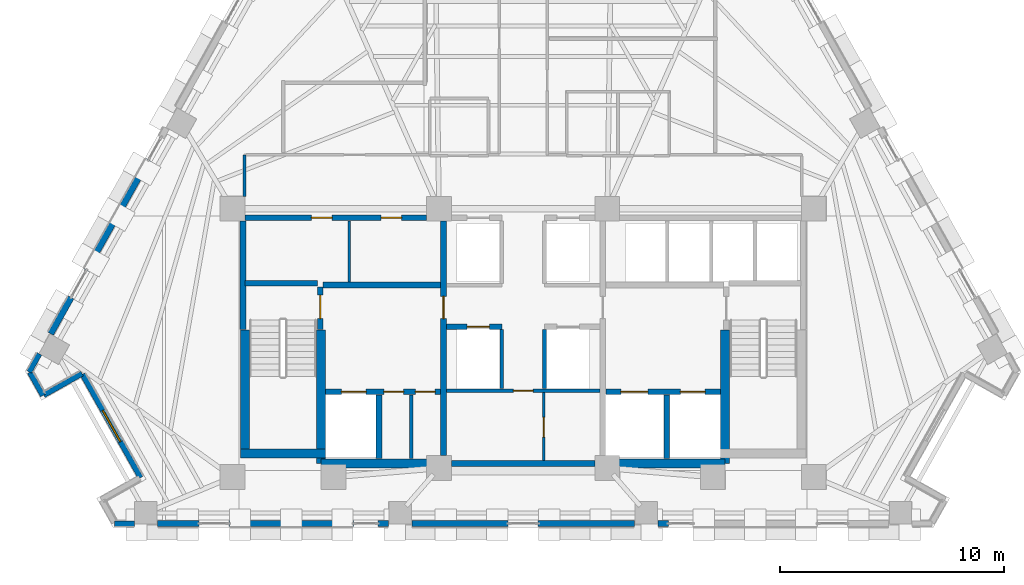
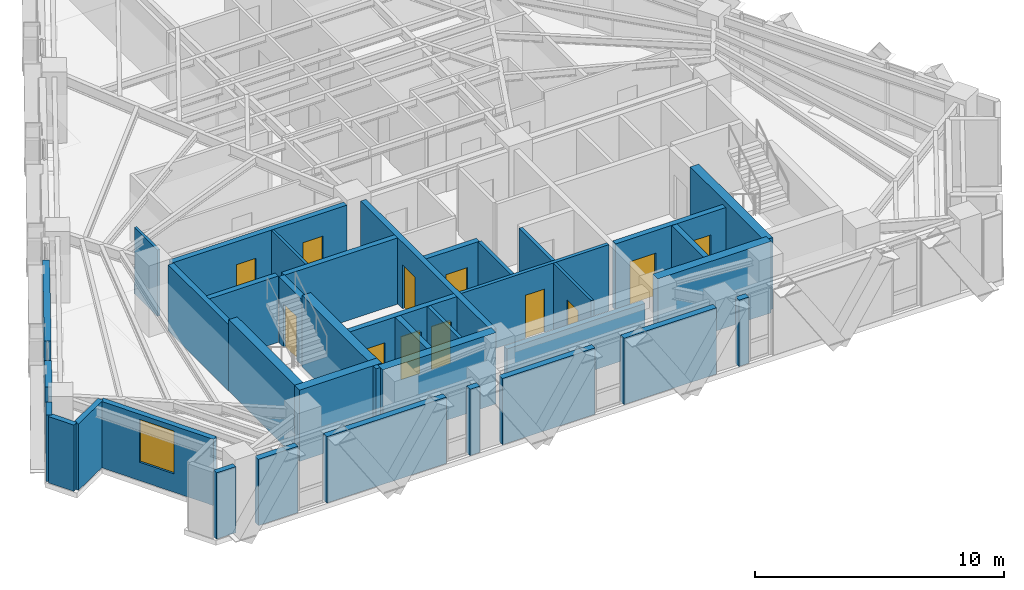
# One storey, part 7 of 13: 38 walls, 12 doors, 1 window, 13 openings.
"""IFC4 building model written with IfcOpenShell, lengths in metres."""

from ifc_helpers import new_model, si_unit, direction, frame, frame_2d, origin, place, context, subcontext, project, spatial, rectangle, extrude, material, layer, layer_set, type_object, element, fill, save


model = new_model("IFC4")

# Units and contexts
model_context = context("Model", 3, precision=1e-05, world=origin(), true_north=direction((0.0, 1.0)))
body_context = subcontext(model_context, "Body", "Model", "MODEL_VIEW")
ifc_project = project(units=[si_unit("LENGTHUNIT", "METRE"), si_unit("AREAUNIT", "SQUARE_METRE"), si_unit("VOLUMEUNIT", "CUBIC_METRE"), si_unit("PLANEANGLEUNIT", "RADIAN"), si_unit("MASSUNIT", "GRAM", prefix="KILO")], contexts=[model_context])

# Site, building, storey
site_placement = place(None, origin())
site = spatial("IfcSite", under=ifc_project, at=site_placement, CompositionType="ELEMENT")
building_placement = place(site_placement, origin())
building = spatial("IfcBuilding", under=site, at=building_placement, Name="Quenlor Broadcast Tower", CompositionType="ELEMENT")
storey_placement = place(building_placement, frame((0.0, 0.0, 151.0)))
storey = spatial("IfcBuildingStorey", under=building, at=storey_placement, Name="L41", CompositionType="ELEMENT", Elevation=151.0)

# Walls
ifc_material_1 = material(Name="Concrete C50/60", Category="concrete")
ifc_layer_1 = layer(ifc_material_1, 0.39990234375)
ifc_layer_set_1 = layer_set([ifc_layer_1], Name="Core Concrete C50/60 Shear Wall 400")
wall_type_1 = type_object("IfcWallType", Name="Core Concrete C50/60 Shear Wall 400", PredefinedType="SHEAR", material=ifc_layer_set_1)
wall_1_placement = place(storey_placement, frame((-12.60009765625, -15.699951171875, 0.0), z_axis=(0.0, 0.0, 1.0), x_axis=(1.0, 0.0, 0.0)))
element("IfcWall", 1, at=wall_1_placement, inside=storey, type_object=wall_type_1, Name="L41 Core Shear Wall WS-W1", PredefinedType="SHEAR", context=body_context, shape_type="SweptSolid", body=[
    extrude(rectangle(XDim=3.800048828125, YDim=0.39990234375, at=frame_2d((1.89990234375, 0.0))), origin(), (0.0, 0.0, 1.0), 3.5),
])
for number, where, z_axis, x_axis, name in (
    (2, (-9.0, -16.14990234375, 0.0), (0.0, 0.0, 1.0), (1.0, 0.0, 0.0), "L41 Core Shear Wall WS-W2"),
    (3, (3.75, -16.14990234375, 0.0), (0.0, 0.0, 1.0), (1.0, 0.0, 0.0), "L41 Core Shear Wall WS-E1"),
):
    element("IfcWall", number, at=place(storey_placement, frame(where, z_axis=z_axis, x_axis=x_axis)), inside=storey, type_object=wall_type_1, Name=name, PredefinedType="SHEAR", context=body_context, shape_type="SweptSolid", body=[
        extrude(rectangle(XDim=5.25, YDim=0.39990234375, at=frame_2d((2.625, 0.0))), origin(), (0.0, 0.0, 1.0), 3.5),
    ])
wall_2_placement = place(storey_placement, frame((-12.39990234375, -15.699951171875, 0.0), z_axis=(0.0, 0.0, 1.0), x_axis=(0.0, 1.0, 0.0)))
element("IfcWall", 4, at=wall_2_placement, inside=storey, type_object=wall_type_1, Name="L41 Core Shear Wall WF-W", PredefinedType="SHEAR", context=body_context, shape_type="SweptSolid", body=[
    extrude(rectangle(XDim=5.5, YDim=0.39990234375, at=frame_2d((2.75, 0.0))), origin(), (0.0, 0.0, 1.0), 3.5),
])
for number, where, z_axis, x_axis, name in (
    (5, (-9.0, -16.14990234375, 0.0), (0.0, 0.0, 1.0), (0.0, 1.0, 0.0), "L41 Core Shear Wall WI-W"),
    (6, (9.0, -16.14990234375, 0.0), (0.0, 0.0, 1.0), (0.0, 1.0, 0.0), "L41 Core Shear Wall WI-E"),
):
    element("IfcWall", number, at=place(storey_placement, frame(where, z_axis=z_axis, x_axis=x_axis)), inside=storey, type_object=wall_type_1, Name=name, PredefinedType="SHEAR", context=body_context, shape_type="SweptSolid", body=[
        extrude(rectangle(XDim=5.949951171875, YDim=0.39990234375, at=frame_2d((2.97509765625, 0.0))), origin(), (0.0, 0.0, 1.0), 3.5),
    ])

# Wall, opening, door
ifc_material_2 = material(Name="Concrete C40/50", Category="concrete")
ifc_layer_2 = layer(ifc_material_2, 0.25)
ifc_layer_set_2 = layer_set([ifc_layer_2], Name="Fire Rated Concrete C40/50 Core Wall 250")
wall_type_2 = type_object("IfcWallType", Name="Fire Rated Concrete C40/50 Core Wall 250", PredefinedType="PARTITIONING", material=ifc_layer_set_2)
wall_3_placement = place(storey_placement, frame((-9.0400390625, -10.179931640625, 0.0), z_axis=(0.0, 0.0, 1.0), x_axis=(0.0, 1.0, 0.0)))
wall_3 = element("IfcWall", 7, at=wall_3_placement, inside=storey, type_object=wall_type_2, Name="L41 Interior Wall CW-ST1-DR", PredefinedType="PARTITIONING", context=body_context, shape_type="SweptSolid", body=[
    extrude(rectangle(XDim=1.89990234375, YDim=0.25, at=frame_2d((0.949951171875, 0.0))), origin(), (0.0, 0.0, 1.0), 3.25),
])
opening_1_placement = place(wall_3_placement, frame((0.47998046875, 0.0, 0.0)))
opening_1 = element("IfcOpeningElement", 8, at=opening_1_placement, cuts=wall_3, Name="Opening FD-1", PredefinedType="OPENING", context=body_context, shape_type="SweptSolid", body=[
    extrude(rectangle(XDim=1.050048828125, YDim=2.14990234375, at=frame_2d((0.52490234375, 1.074951171875))), frame((0.0, 0.135009765625, 0.0), z_axis=(0.0, -1.0, 0.0), x_axis=(1.0, 0.0, 0.0)), (0.0, 0.0, 1.0), 0.27001953125),
])
ifc_material_3 = material(Name="Fire Rated Steel Door Leaf", Category="steel")
door_type_1 = type_object("IfcDoorType", Name="Fire Isolated Stair Door 1050x2150", OperationType="NOTDEFINED", PredefinedType="DOOR", material=ifc_material_3)
door_1_placement = place(opening_1_placement, origin())
door_1 = element("IfcDoor", 9, at=door_1_placement, inside=storey, type_object=door_type_1, Name="L41 Door DR-ST1", OperationType="SINGLE_SWING_LEFT", OverallHeight=2.14990234375, OverallWidth=1.050048828125, PredefinedType="DOOR", context=body_context, shape_type="SweptSolid", body=[
    extrude(rectangle(XDim=1.050048828125, YDim=2.14990234375, at=frame_2d((0.52490234375, 1.074951171875))), frame((0.0, 0.02490234375, 0.0), z_axis=(0.0, -1.0, 0.0), x_axis=(1.0, 0.0, 0.0)), (0.0, 0.0, 1.0), 0.050048828125),
])
fill(opening_1, door_1)

# Walls
wall_4_placement = place(storey_placement, frame((-12.3798828125, -8.1201171875, 0.0), z_axis=(0.0, 0.0, 1.0), x_axis=(1.0, 0.0, 0.0)))
element("IfcWall", 10, at=wall_4_placement, inside=storey, type_object=wall_type_2, Name="L41 Interior Wall CW-ST1-N", PredefinedType="PARTITIONING", context=body_context, shape_type="SweptSolid", body=[
    extrude(rectangle(XDim=3.219970703125, YDim=0.25, at=frame_2d((1.60986328125, 0.0))), origin(), (0.0, 0.0, 1.0), 3.25),
])
wall_5_placement = place(storey_placement, frame((-12.47998046875, -10.179931640625, 0.0), z_axis=(0.0, 0.0, 1.0), x_axis=(0.0, 1.0, 0.0)))
element("IfcWall", 11, at=wall_5_placement, inside=storey, type_object=wall_type_2, Name="L41 Interior Wall CW-ST1-W2", PredefinedType="PARTITIONING", context=body_context, shape_type="SweptSolid", body=[
    extrude(rectangle(XDim=4.827880859375, YDim=0.25, at=frame_2d((2.4140625, 0.0))), origin(), (0.0, 0.0, 1.0), 3.25),
])

# Wall, openings, doors
wall_6_placement = place(storey_placement, frame((-8.798095703125, -12.949951171875, 0.0), z_axis=(0.0, 0.0, 1.0), x_axis=(1.0, 0.0, 0.0)))
wall_6 = element("IfcWall", 12, at=wall_6_placement, inside=storey, type_object=wall_type_2, Name="L41 Interior Wall CW-FFW-S", PredefinedType="PARTITIONING", context=body_context, shape_type="SweptSolid", body=[
    extrude(rectangle(XDim=5.1181640625, YDim=0.25, at=frame_2d((2.55908203125, 0.0))), origin(), (0.0, 0.0, 1.0), 3.25),
])
opening_2_placement = place(wall_6_placement, frame((0.697998046875, 0.0, 0.0)))
opening_2 = element("IfcOpeningElement", 13, at=opening_2_placement, cuts=wall_6, Name="Opening LD-FFL-1", PredefinedType="OPENING", context=body_context, shape_type="SweptSolid", body=[
    extrude(rectangle(XDim=1.10009765625, YDim=2.14990234375, at=frame_2d((0.550048828125, 1.074951171875))), frame((0.0, 0.135009765625, 0.0), z_axis=(0.0, -1.0, 0.0), x_axis=(1.0, 0.0, 0.0)), (0.0, 0.0, 1.0), 0.27001953125),
])
opening_3_placement = place(wall_6_placement, frame((2.597900390625, 0.0, 0.0)))
opening_3 = element("IfcOpeningElement", 14, at=opening_3_placement, cuts=wall_6, Name="Opening TD-1", PredefinedType="OPENING", context=body_context, shape_type="SweptSolid", body=[
    extrude(rectangle(XDim=0.8798828125, YDim=2.10009765625, at=frame_2d((0.43994140625, 1.050048828125))), frame((0.0, 0.135009765625, 0.0), z_axis=(0.0, -1.0, 0.0), x_axis=(1.0, 0.0, 0.0)), (0.0, 0.0, 1.0), 0.27001953125),
])
opening_4_placement = place(wall_6_placement, frame((3.998046875, 0.0, 0.0)))
opening_4 = element("IfcOpeningElement", 15, at=opening_4_placement, cuts=wall_6, Name="Opening TD-1", PredefinedType="OPENING", context=body_context, shape_type="SweptSolid", body=[
    extrude(rectangle(XDim=0.8798828125, YDim=2.10009765625, at=frame_2d((0.43994140625, 1.050048828125))), frame((0.0, 0.135009765625, 0.0), z_axis=(0.0, -1.0, 0.0), x_axis=(1.0, 0.0, 0.0)), (0.0, 0.0, 1.0), 0.27001953125),
])
ifc_material_4 = material(Name="Brushed Stainless Steel", Category="steel")
door_type_2 = type_object("IfcDoorType", Name="Emergency Lift Sliding Landing Door 1100x2150", OperationType="NOTDEFINED", PredefinedType="DOOR", material=ifc_material_4)
door_2_placement = place(opening_2_placement, origin())
door_2 = element("IfcDoor", 16, at=door_2_placement, inside=storey, type_object=door_type_2, Name="L41 Door LD-FFL-1", OperationType="SLIDING_TO_LEFT", OverallHeight=2.14990234375, OverallWidth=1.10009765625, PredefinedType="DOOR", context=body_context, shape_type="SweptSolid", body=[
    extrude(rectangle(XDim=1.10009765625, YDim=2.14990234375, at=frame_2d((0.550048828125, 1.074951171875))), frame((0.0, 0.02490234375, 0.0), z_axis=(0.0, -1.0, 0.0), x_axis=(1.0, 0.0, 0.0)), (0.0, 0.0, 1.0), 0.050048828125),
])
fill(opening_2, door_2)
ifc_material_5 = material(Name="Fire Rated Steel Access Panel", Category="steel")
door_type_3 = type_object("IfcDoorType", Name="Riser Shaft Rated Access Trapdoor 880x2100", OperationType="NOTDEFINED", PredefinedType="TRAPDOOR", material=ifc_material_5)
door_3_placement = place(opening_3_placement, origin())
door_3 = element("IfcDoor", 17, at=door_3_placement, inside=storey, type_object=door_type_3, Name="L41 Door DR-ELR", OperationType="SINGLE_SWING_LEFT", OverallHeight=2.10009765625, OverallWidth=0.8798828125, PredefinedType="TRAPDOOR", context=body_context, shape_type="SweptSolid", body=[
    extrude(rectangle(XDim=0.8798828125, YDim=2.10009765625, at=frame_2d((0.43994140625, 1.050048828125))), frame((0.0, 0.02490234375, 0.0), z_axis=(0.0, -1.0, 0.0), x_axis=(1.0, 0.0, 0.0)), (0.0, 0.0, 1.0), 0.050048828125),
])
fill(opening_3, door_3)
door_4_placement = place(opening_4_placement, origin())
door_4 = element("IfcDoor", 18, at=door_4_placement, inside=storey, type_object=door_type_3, Name="L41 Door DR-CMR", OperationType="SINGLE_SWING_RIGHT", OverallHeight=2.10009765625, OverallWidth=0.8798828125, PredefinedType="TRAPDOOR", context=body_context, shape_type="SweptSolid", body=[
    extrude(rectangle(XDim=0.8798828125, YDim=2.10009765625, at=frame_2d((0.43994140625, 1.050048828125))), frame((0.0, 0.02490234375, 0.0), z_axis=(0.0, -1.0, 0.0), x_axis=(1.0, 0.0, 0.0)), (0.0, 0.0, 1.0), 0.050048828125),
])
fill(opening_4, door_4)

wall_7_placement = place(storey_placement, frame((3.679931640625, -12.949951171875, 0.0), z_axis=(0.0, 0.0, 1.0), x_axis=(1.0, 0.0, 0.0)))
wall_7 = element("IfcWall", 19, at=wall_7_placement, inside=storey, type_object=wall_type_2, Name="L41 Interior Wall CW-FFE-S", PredefinedType="PARTITIONING", context=body_context, shape_type="SweptSolid", body=[
    extrude(rectangle(XDim=5.1181640625, YDim=0.25, at=frame_2d((2.55908203125, 0.0))), origin(), (0.0, 0.0, 1.0), 3.25),
])
opening_5_placement = place(wall_7_placement, frame((3.320068359375, 0.0, 0.0)))
opening_5 = element("IfcOpeningElement", 20, at=opening_5_placement, cuts=wall_7, Name="Opening LD-FFL-2", PredefinedType="OPENING", context=body_context, shape_type="SweptSolid", body=[
    extrude(rectangle(XDim=1.10009765625, YDim=2.14990234375, at=frame_2d((0.550048828125, 1.074951171875))), frame((0.0, 0.135009765625, 0.0), z_axis=(0.0, -1.0, 0.0), x_axis=(1.0, 0.0, 0.0)), (0.0, 0.0, 1.0), 0.27001953125),
])
opening_6_placement = place(wall_7_placement, frame((0.669921875, 0.0, 0.0)))
opening_6 = element("IfcOpeningElement", 21, at=opening_6_placement, cuts=wall_7, Name="Opening LD-SVL-1", PredefinedType="OPENING", context=body_context, shape_type="SweptSolid", body=[
    extrude(rectangle(XDim=1.199951171875, YDim=2.14990234375, at=frame_2d((0.60009765625, 1.074951171875))), frame((0.0, 0.135009765625, 0.0), z_axis=(0.0, -1.0, 0.0), x_axis=(1.0, 0.0, 0.0)), (0.0, 0.0, 1.0), 0.27001953125),
])
door_5_placement = place(opening_5_placement, origin())
door_5 = element("IfcDoor", 22, at=door_5_placement, inside=storey, type_object=door_type_2, Name="L41 Door LD-FFL-2", OperationType="SLIDING_TO_RIGHT", OverallHeight=2.14990234375, OverallWidth=1.10009765625, PredefinedType="DOOR", context=body_context, shape_type="SweptSolid", body=[
    extrude(rectangle(XDim=1.10009765625, YDim=2.14990234375, at=frame_2d((0.550048828125, 1.074951171875))), frame((0.0, 0.02490234375, 0.0), z_axis=(0.0, -1.0, 0.0), x_axis=(1.0, 0.0, 0.0)), (0.0, 0.0, 1.0), 0.050048828125),
])
fill(opening_5, door_5)
ifc_material_6 = material(Name="Brushed Stainless Steel", Category="steel")
door_type_4 = type_object("IfcDoorType", Name="Goods Lift Sliding Landing Door 1200x2150", OperationType="NOTDEFINED", PredefinedType="DOOR", material=ifc_material_6)
door_6_placement = place(opening_6_placement, origin())
door_6 = element("IfcDoor", 23, at=door_6_placement, inside=storey, type_object=door_type_4, Name="L41 Door LD-SVL-1", OperationType="SLIDING_TO_LEFT", OverallHeight=2.14990234375, OverallWidth=1.199951171875, PredefinedType="DOOR", context=body_context, shape_type="SweptSolid", body=[
    extrude(rectangle(XDim=1.199951171875, YDim=2.14990234375, at=frame_2d((0.60009765625, 1.074951171875))), frame((0.0, 0.02490234375, 0.0), z_axis=(0.0, -1.0, 0.0), x_axis=(1.0, 0.0, 0.0)), (0.0, 0.0, 1.0), 0.050048828125),
])
fill(opening_6, door_6)

# Walls
for number, where, z_axis, x_axis, name in (
    (24, (-6.419921875, -15.919921875, 0.0), (0.0, 0.0, 1.0), (0.0, 1.0, 0.0), "L41 Interior Wall CW-FF1-E"),
    (25, (6.39990234375, -15.919921875, 0.0), (0.0, 0.0, 1.0), (0.0, 1.0, 0.0), "L41 Interior Wall CW-SV1-E"),
):
    element("IfcWall", number, at=place(storey_placement, frame(where, z_axis=z_axis, x_axis=x_axis)), inside=storey, type_object=wall_type_2, Name=name, PredefinedType="PARTITIONING", context=body_context, shape_type="SweptSolid", body=[
        extrude(rectangle(XDim=2.829833984375, YDim=0.25, at=frame_2d((1.4150390625, 0.0))), origin(), (0.0, 0.0, 1.0), 3.25),
    ])
wall_8_placement = place(storey_placement, frame((-8.919921875, -8.199951171875, 0.0), z_axis=(0.0, 0.0, 1.0), x_axis=(1.0, 0.0, 0.0)))
element("IfcWall", 26, at=wall_8_placement, inside=storey, type_object=wall_type_2, Name="L41 Interior Wall CW-FFW-N", PredefinedType="PARTITIONING", context=body_context, shape_type="SweptSolid", body=[
    extrude(rectangle(XDim=5.239990234375, YDim=0.25, at=frame_2d((2.6201171875, 0.0))), origin(), (0.0, 0.0, 1.0), 3.25),
])

# Wall, opening, door
wall_9_placement = place(storey_placement, frame((-3.550048828125, -15.798095703125, 0.0), z_axis=(0.0, 0.0, 1.0), x_axis=(0.0, 1.0, 0.0)))
wall_9 = element("IfcWall", 27, at=wall_9_placement, inside=storey, type_object=wall_type_2, Name="L41 Interior Wall CW-FFW-E", PredefinedType="PARTITIONING", context=body_context, shape_type="SweptSolid", body=[
    extrude(rectangle(XDim=10.446044921875, YDim=0.25, at=frame_2d((5.22314453125, 0.0))), origin(), (0.0, 0.0, 1.0), 3.25),
])
opening_7_placement = place(wall_9_placement, frame((6.097900390625, 0.0, 0.0)))
opening_7 = element("IfcOpeningElement", 28, at=opening_7_placement, cuts=wall_9, Name="Opening FD-2", PredefinedType="OPENING", context=body_context, shape_type="SweptSolid", body=[
    extrude(rectangle(XDim=1.0, YDim=2.14990234375, at=frame_2d((0.5, 1.074951171875))), frame((0.0, 0.135009765625, 0.0), z_axis=(0.0, -1.0, 0.0), x_axis=(1.0, 0.0, 0.0)), (0.0, 0.0, 1.0), 0.27001953125),
])
ifc_material_7 = material(Name="Fire Rated Glazed Steel Door", Category="steel")
door_type_5 = type_object("IfcDoorType", Name="Firefighting Lobby Smoke Door 1000x2150", OperationType="NOTDEFINED", PredefinedType="DOOR", material=ifc_material_7)
door_7_placement = place(opening_7_placement, origin())
door_7 = element("IfcDoor", 29, at=door_7_placement, inside=storey, type_object=door_type_5, Name="L41 Door DR-FFLW", OperationType="SINGLE_SWING_RIGHT", OverallHeight=2.14990234375, OverallWidth=1.0, PredefinedType="DOOR", context=body_context, shape_type="SweptSolid", body=[
    extrude(rectangle(XDim=1.0, YDim=2.14990234375, at=frame_2d((0.5, 1.074951171875))), frame((0.0, 0.02490234375, 0.0), z_axis=(0.0, -1.0, 0.0), x_axis=(1.0, 0.0, 0.0)), (0.0, 0.0, 1.0), 0.050048828125),
])
fill(opening_7, door_7)

# Wall, openings, doors
wall_10_placement = place(storey_placement, frame((-12.39794921875, -5.199951171875, 0.0), z_axis=(0.0, 0.0, 1.0), x_axis=(1.0, 0.0, 0.0)))
wall_10 = element("IfcWall", 30, at=wall_10_placement, inside=storey, type_object=wall_type_2, Name="L41 Interior Wall CW-N-W", PredefinedType="PARTITIONING", context=body_context, shape_type="SweptSolid", body=[
    extrude(rectangle(XDim=8.095947265625, YDim=0.25, at=frame_2d((4.0478515625, 0.0))), origin(), (0.0, 0.0, 1.0), 3.25),
])
opening_8_placement = place(wall_10_placement, frame((2.968017578125, 0.0, 0.0)))
opening_8 = element("IfcOpeningElement", 31, at=opening_8_placement, cuts=wall_10, Name="Opening ID-1", PredefinedType="OPENING", context=body_context, shape_type="SweptSolid", body=[
    extrude(rectangle(XDim=0.919921875, YDim=2.1201171875, at=frame_2d((0.4599609375, 1.06005859375))), frame((0.0, 0.135009765625, 0.0), z_axis=(0.0, -1.0, 0.0), x_axis=(1.0, 0.0, 0.0)), (0.0, 0.0, 1.0), 0.27001953125),
])
opening_9_placement = place(wall_10_placement, frame((6.068115234375, 0.0, 0.0)))
opening_9 = element("IfcOpeningElement", 32, at=opening_9_placement, cuts=wall_10, Name="Opening ID-1", PredefinedType="OPENING", context=body_context, shape_type="SweptSolid", body=[
    extrude(rectangle(XDim=0.919921875, YDim=2.1201171875, at=frame_2d((0.4599609375, 1.06005859375))), frame((0.0, 0.135009765625, 0.0), z_axis=(0.0, -1.0, 0.0), x_axis=(1.0, 0.0, 0.0)), (0.0, 0.0, 1.0), 0.27001953125),
])
ifc_material_8 = material(Name="Solid Core Timber Oak", Category="wood")
door_type_6 = type_object("IfcDoorType", Name="Single Leaf Timber Office Door 920x2120", OperationType="NOTDEFINED", PredefinedType="DOOR", material=ifc_material_8)
door_8_placement = place(opening_8_placement, origin())
door_8 = element("IfcDoor", 33, at=door_8_placement, inside=storey, type_object=door_type_6, Name="L41 Door DR-RCL1", OperationType="SINGLE_SWING_LEFT", OverallHeight=2.1201171875, OverallWidth=0.919921875, PredefinedType="DOOR", context=body_context, shape_type="SweptSolid", body=[
    extrude(rectangle(XDim=0.919921875, YDim=2.1201171875, at=frame_2d((0.4599609375, 1.06005859375))), frame((0.0, 0.02490234375, 0.0), z_axis=(0.0, -1.0, 0.0), x_axis=(1.0, 0.0, 0.0)), (0.0, 0.0, 1.0), 0.050048828125),
])
fill(opening_8, door_8)
door_9_placement = place(opening_9_placement, origin())
door_9 = element("IfcDoor", 34, at=door_9_placement, inside=storey, type_object=door_type_6, Name="L41 Door DR-RCL2", OperationType="SINGLE_SWING_RIGHT", OverallHeight=2.1201171875, OverallWidth=0.919921875, PredefinedType="DOOR", context=body_context, shape_type="SweptSolid", body=[
    extrude(rectangle(XDim=0.919921875, YDim=2.1201171875, at=frame_2d((0.4599609375, 1.06005859375))), frame((0.0, 0.02490234375, 0.0), z_axis=(0.0, -1.0, 0.0), x_axis=(1.0, 0.0, 0.0)), (0.0, 0.0, 1.0), 0.050048828125),
])
fill(opening_9, door_9)

# Wall
wall_11_placement = place(storey_placement, frame((-3.197998046875, -16.14990234375, 0.0), z_axis=(0.0, 0.0, 1.0), x_axis=(1.0, 0.0, 0.0)))
element("IfcWall", 35, at=wall_11_placement, inside=storey, type_object=wall_type_2, Name="L41 Interior Wall CW-MS-S", PredefinedType="PARTITIONING", context=body_context, shape_type="SweptSolid", body=[
    extrude(rectangle(XDim=6.39599609375, YDim=0.25, at=frame_2d((3.197998046875, 0.0))), origin(), (0.0, 0.0, 1.0), 2.449951171875),
])

# Wall, opening, door
wall_12_placement = place(storey_placement, frame((-3.419921875, -10.050048828125, 0.0), z_axis=(0.0, 0.0, 1.0), x_axis=(1.0, 0.0, 0.0)))
wall_12 = element("IfcWall", 36, at=wall_12_placement, inside=storey, type_object=wall_type_2, Name="L41 Interior Wall CW-MS-N1", PredefinedType="PARTITIONING", context=body_context, shape_type="SweptSolid", body=[
    extrude(rectangle(XDim=2.469970703125, YDim=0.25, at=frame_2d((1.23486328125, 0.0))), origin(), (0.0, 0.0, 1.0), 3.25),
])
opening_10_placement = place(wall_12_placement, frame((0.919921875, 0.0, 0.0)))
opening_10 = element("IfcOpeningElement", 37, at=opening_10_placement, cuts=wall_12, Name="Opening LD-PL-M3", PredefinedType="OPENING", context=body_context, shape_type="SweptSolid", body=[
    extrude(rectangle(XDim=1.0, YDim=2.14990234375, at=frame_2d((0.5, 1.074951171875))), frame((0.0, 0.135009765625, 0.0), z_axis=(0.0, -1.0, 0.0), x_axis=(1.0, 0.0, 0.0)), (0.0, 0.0, 1.0), 0.27001953125),
])
ifc_material_9 = material(Name="Brushed Stainless Steel", Category="steel")
door_type_7 = type_object("IfcDoorType", Name="Passenger Lift Sliding Landing Door 1000x2150", OperationType="NOTDEFINED", PredefinedType="DOOR", material=ifc_material_9)
door_10_placement = place(opening_10_placement, origin())
door_10 = element("IfcDoor", 38, at=door_10_placement, inside=storey, type_object=door_type_7, Name="L41 Door LD-PL-M3", OperationType="SLIDING_TO_LEFT", OverallHeight=2.14990234375, OverallWidth=1.0, PredefinedType="DOOR", context=body_context, shape_type="SweptSolid", body=[
    extrude(rectangle(XDim=1.0, YDim=2.14990234375, at=frame_2d((0.5, 1.074951171875))), frame((0.0, 0.02490234375, 0.0), z_axis=(0.0, -1.0, 0.0), x_axis=(1.0, 0.0, 0.0)), (0.0, 0.0, 1.0), 0.050048828125),
])
fill(opening_10, door_10)

# Wall
ifc_material_10 = material(Name="Gypsum Fireboard Partition", Category="other")
ifc_layer_3 = layer(ifc_material_10, 0.159912109375)
ifc_layer_set_3 = layer_set([ifc_layer_3], Name="Fire Rated Shaft and Corridor Partition 160")
wall_type_3 = type_object("IfcWallType", Name="Fire Rated Shaft and Corridor Partition 160", PredefinedType="PARTITIONING", material=ifc_layer_set_3)
wall_13_placement = place(storey_placement, frame((-4.97998046875, -15.919921875, 0.0), z_axis=(0.0, 0.0, 1.0), x_axis=(0.0, 1.0, 0.0)))
element("IfcWall", 39, at=wall_13_placement, inside=storey, type_object=wall_type_3, Name="L41 Interior Wall CW-ELR-E", PredefinedType="PARTITIONING", context=body_context, shape_type="SweptSolid", body=[
    extrude(rectangle(XDim=2.829833984375, YDim=0.159912109375, at=frame_2d((1.4150390625, 0.0))), origin(), (0.0, 0.0, 1.0), 3.25),
])

# Wall, opening, door
wall_14_placement = place(storey_placement, frame((-3.419921875, -12.89990234375, 0.0), z_axis=(0.0, 0.0, 1.0), x_axis=(1.0, 0.0, 0.0)))
wall_14 = element("IfcWall", 40, at=wall_14_placement, inside=storey, type_object=wall_type_3, Name="L41 Interior Wall CW-MS-B", PredefinedType="PARTITIONING", context=body_context, shape_type="SweptSolid", body=[
    extrude(rectangle(XDim=6.83984375, YDim=0.159912109375, at=frame_2d((3.419921875, 0.0))), origin(), (0.0, 0.0, 1.0), 3.25),
])
opening_11_placement = place(wall_14_placement, frame((2.97998046875, 0.0, 0.0)))
opening_11 = element("IfcOpeningElement", 41, at=opening_11_placement, cuts=wall_14, Name="Opening ID-4", PredefinedType="OPENING", context=body_context, shape_type="SweptSolid", body=[
    extrude(rectangle(XDim=0.8798828125, YDim=2.1201171875, at=frame_2d((0.43994140625, 1.06005859375))), frame((0.0, 0.08984375, 0.0), z_axis=(0.0, -1.0, 0.0), x_axis=(1.0, 0.0, 0.0)), (0.0, 0.0, 1.0), 0.179931640625),
])
ifc_material_11 = material(Name="Solid Core Timber Oak", Category="wood")
door_type_8 = type_object("IfcDoorType", Name="Service Closet Timber Door 880x2120", OperationType="NOTDEFINED", PredefinedType="DOOR", material=ifc_material_11)
door_11_placement = place(opening_11_placement, origin())
door_11 = element("IfcDoor", 42, at=door_11_placement, inside=storey, type_object=door_type_8, Name="L41 Door DR-CSV0", OperationType="SINGLE_SWING_LEFT", OverallHeight=2.1201171875, OverallWidth=0.8798828125, PredefinedType="DOOR", context=body_context, shape_type="SweptSolid", body=[
    extrude(rectangle(XDim=0.8798828125, YDim=2.1201171875, at=frame_2d((0.43994140625, 1.06005859375))), frame((0.0, 0.02490234375, 0.0), z_axis=(0.0, -1.0, 0.0), x_axis=(1.0, 0.0, 0.0)), (0.0, 0.0, 1.0), 0.050048828125),
])
fill(opening_11, door_11)

# Walls
for number, where, z_axis, x_axis, name in (
    (43, (-0.949951171875, -12.818115234375, 0.0), (0.0, 0.0, 1.0), (0.0, 1.0, 0.0), "L41 Interior Wall CW-MS-W"),
    (44, (0.949951171875, -12.818115234375, 0.0), (0.0, 0.0, 1.0), (0.0, 1.0, 0.0), "L41 Interior Wall CW-MS-E"),
):
    element("IfcWall", number, at=place(storey_placement, frame(where, z_axis=z_axis, x_axis=x_axis)), inside=storey, type_object=wall_type_3, Name=name, PredefinedType="PARTITIONING", context=body_context, shape_type="SweptSolid", body=[
        extrude(rectangle(XDim=2.63818359375, YDim=0.159912109375, at=frame_2d((1.319091796875, 0.0))), origin(), (0.0, 0.0, 1.0), 3.25),
    ])
ifc_material_12 = material(Name="Gypsum Plasterboard Partition", Category="other")
ifc_layer_4 = layer(ifc_material_12, 0.1201171875)
ifc_layer_set_4 = layer_set([ifc_layer_4], Name="Standard Office Partition 120")
wall_type_4 = type_object("IfcWallType", Name="Standard Office Partition 120", PredefinedType="PARTITIONING", material=ifc_layer_set_4)
wall_15_placement = place(storey_placement, frame((-7.75, -8.072998046875, 0.0), z_axis=(0.0, 0.0, 1.0), x_axis=(0.0, 1.0, 0.0)))
element("IfcWall", 45, at=wall_15_placement, inside=storey, type_object=wall_type_4, Name="L41 Interior Wall CW-RCL-MID", PredefinedType="PARTITIONING", context=body_context, shape_type="SweptSolid", body=[
    extrude(rectangle(XDim=2.73291015625, YDim=0.1201171875, at=frame_2d((1.366455078125, 0.0))), origin(), (0.0, 0.0, 1.0), 3.25),
])

# Wall, opening, door
wall_16_placement = place(storey_placement, frame((0.909912109375, -16.02001953125, 0.0), z_axis=(0.0, 0.0, 1.0), x_axis=(0.0, 1.0, 0.0)))
wall_16 = element("IfcWall", 46, at=wall_16_placement, inside=storey, type_object=wall_type_4, Name="L41 Interior Wall CW-CSV-E2", PredefinedType="PARTITIONING", context=body_context, shape_type="SweptSolid", body=[
    extrude(rectangle(XDim=3.0380859375, YDim=0.1201171875, at=frame_2d((1.51904296875, 0.0))), origin(), (0.0, 0.0, 1.0), 3.25),
])
opening_12_placement = place(wall_16_placement, frame((1.050048828125, 0.0, 0.0)))
opening_12 = element("IfcOpeningElement", 47, at=opening_12_placement, cuts=wall_16, Name="Opening ID-4", PredefinedType="OPENING", context=body_context, shape_type="SweptSolid", body=[
    extrude(rectangle(XDim=0.8798828125, YDim=2.1201171875, at=frame_2d((0.43994140625, 1.06005859375))), frame((0.0, 0.070068359375, 0.0), z_axis=(0.0, -1.0, 0.0), x_axis=(1.0, 0.0, 0.0)), (0.0, 0.0, 1.0), 0.14013671875),
])
door_12_placement = place(opening_12_placement, origin())
door_12 = element("IfcDoor", 48, at=door_12_placement, inside=storey, type_object=door_type_8, Name="L41 Door DR-CSV2", OperationType="SINGLE_SWING_RIGHT", OverallHeight=2.1201171875, OverallWidth=0.8798828125, PredefinedType="DOOR", context=body_context, shape_type="SweptSolid", body=[
    extrude(rectangle(XDim=0.8798828125, YDim=2.1201171875, at=frame_2d((0.43994140625, 1.06005859375))), frame((0.0, 0.02490234375, 0.0), z_axis=(0.0, -1.0, 0.0), x_axis=(1.0, 0.0, 0.0)), (0.0, 0.0, 1.0), 0.050048828125),
])
fill(opening_12, door_12)

# Walls
wall_17_placement = place(storey_placement, frame((-12.409912109375, -4.248046875, 0.0), z_axis=(0.0, 0.0, 1.0), x_axis=(0.0, 1.0, 0.0)))
element("IfcWall", 49, at=wall_17_placement, inside=storey, type_object=wall_type_4, Name="L41 Interior Wall PW-CR-01", PredefinedType="PARTITIONING", context=body_context, shape_type="SweptSolid", body=[
    extrude(rectangle(XDim=1.84814453125, YDim=0.1201171875, at=frame_2d((0.924072265625, 0.0))), origin(), (0.0, 0.0, 1.0), 3.25),
])
ifc_material_13 = material(Name="Precast concrete C40/50", Category="concrete")
ifc_layer_5 = layer(ifc_material_13, 0.239990234375)
ifc_layer_set_5 = layer_set([ifc_layer_5], Name="Terrace Threshold Precast Concrete C40/50 Wall 240")
wall_type_5 = type_object("IfcWallType", Name="Terrace Threshold Precast Concrete C40/50 Wall 240", PredefinedType="STANDARD", material=ifc_layer_set_5)
wall_18_placement = place(storey_placement, frame((-17.3134765625, -18.824951171875, 0.0), z_axis=(0.0, 0.0, 1.0), x_axis=(-1.0, 0.0, 0.0)))
element("IfcWall", 50, at=wall_18_placement, inside=storey, type_object=wall_type_5, Name="L41 Exterior Wall L41-SHD-SS1", PredefinedType="STANDARD", context=body_context, shape_type="SweptSolid", body=[
    extrude(rectangle(XDim=0.896484375, YDim=0.239990234375, at=frame_2d((0.4482421875, 0.0))), origin(), (0.0, 0.0, 1.0), 3.25),
])
wall_19_placement = place(storey_placement, frame((-22.003173828125, -12.073486328125, 0.0), z_axis=(0.0, 0.0, 1.0), x_axis=(0.490248718924, 0.871582579905, 0.0)))
element("IfcWall", 51, at=wall_19_placement, inside=storey, type_object=wall_type_5, Name="L41 Exterior Wall L41-SHD-NWS0", PredefinedType="STANDARD", context=body_context, shape_type="SweptSolid", body=[
    extrude(rectangle(XDim=0.92578125, YDim=0.239990234375, at=frame_2d((0.462890625, 0.0))), origin(), (0.0, 0.0, 1.0), 3.25),
])
wall_20_placement = place(storey_placement, frame((-21.976806640625, -12.08349609375, 0.0), z_axis=(0.0, 0.0, 1.0), x_axis=(0.490154352582, -0.871635652463, 0.0)))
element("IfcWall", 52, at=wall_20_placement, inside=storey, type_object=wall_type_5, Name="L41 Exterior Wall L41-CNR-12", PredefinedType="STANDARD", context=body_context, shape_type="SweptSolid", body=[
    extrude(rectangle(XDim=1.19287109375, YDim=0.239990234375, at=frame_2d((0.596435546875, 0.0))), origin(), (0.0, 0.0, 1.0), 3.25),
])
wall_21_placement = place(storey_placement, frame((-21.357421875, -13.103515625, 0.0), z_axis=(0.0, 0.0, 1.0), x_axis=(0.871595493845, 0.490225759328, 0.0)))
element("IfcWall", 53, at=wall_21_placement, inside=storey, type_object=wall_type_5, Name="L41 Exterior Wall L41-CNR-13", PredefinedType="STANDARD", context=body_context, shape_type="SweptSolid", body=[
    extrude(rectangle(XDim=1.960205078125, YDim=0.239990234375, at=frame_2d((0.97998046875, 0.0))), origin(), (0.0, 0.0, 1.0), 3.25),
])

# Wall, opening, window
wall_22_placement = place(storey_placement, frame((-19.62939453125, -12.177490234375, 0.0), z_axis=(0.0, 0.0, 1.0), x_axis=(0.490276606961, -0.871566892824, 0.0)))
wall_22 = element("IfcWall", 54, at=wall_22_placement, inside=storey, type_object=wall_type_5, Name="L41 Exterior Wall L41-CNR-14", PredefinedType="STANDARD", context=body_context, shape_type="SweptSolid", body=[
    extrude(rectangle(XDim=5.280029296875, YDim=0.239990234375, at=frame_2d((2.64013671875, 0.0))), origin(), (0.0, 0.0, 1.0), 3.25),
])
opening_13_placement = place(wall_22_placement, frame((1.840087890625, 0.0, 0.89990234375)))
opening_13 = element("IfcOpeningElement", 55, at=opening_13_placement, cuts=wall_22, Name="Opening WN-2", PredefinedType="OPENING", context=body_context, shape_type="SweptSolid", body=[
    extrude(rectangle(XDim=1.60009765625, YDim=2.10009765625, at=frame_2d((0.800048828125, 1.050048828125))), frame((0.0, 0.1298828125, 0.0), z_axis=(0.0, -1.0, 0.0), x_axis=(1.0, 0.0, 0.0)), (0.0, 0.0, 1.0), 0.260009765625),
])
ifc_material_14 = material(Name="Thermally Broken Aluminium and Low-E Glass", Category="aluminium")
window_type = type_object("IfcWindowType", Name="Tower Studio Punched Window 1600x2100", PartitioningType="SINGLE_PANEL", PredefinedType="WINDOW", material=ifc_material_14)
window_placement = place(opening_13_placement, origin())
window = element("IfcWindow", 56, at=window_placement, inside=storey, type_object=window_type, Name="L41 Corner Chamfer Window 14", OverallHeight=2.10009765625, OverallWidth=1.60009765625, PartitioningType="SINGLE_PANEL", PredefinedType="WINDOW", context=body_context, shape_type="SweptSolid", body=[
    extrude(rectangle(XDim=1.60009765625, YDim=2.10009765625, at=frame_2d((0.800048828125, 1.050048828125))), frame((0.0, 0.030029296875, 0.0), z_axis=(0.0, -1.0, 0.0), x_axis=(1.0, 0.0, 0.0)), (0.0, 0.0, 1.0), 0.06005859375),
])
fill(opening_13, window)

# Walls
ifc_material_15 = material(Name="Precast concrete C40/50", Category="concrete")
ifc_layer_6 = layer(ifc_material_15, 0.280029296875)
ifc_layer_set_6 = layer_set([ifc_layer_6], Name="Terracotta Precast Concrete C40/50 Facade Wall 280")
wall_type_6 = type_object("IfcWallType", Name="Terracotta Precast Concrete C40/50 Facade Wall 280", PredefinedType="STANDARD", material=ifc_layer_set_6)
for number, where, z_axis, x_axis, name in (
    (57, (6.466064453125, -18.824951171875, 0.0), (0.0, 0.0, 1.0), (-1.0, 0.0, 0.0), "L41 Exterior Wall L41-SA-SP3"),
    (58, (-6.006103515625, -18.824951171875, 0.0), (0.0, 0.0, 1.0), (-1.0, 0.0, 0.0), "L41 Exterior Wall L41-SC-SP1"),
):
    element("IfcWall", number, at=place(storey_placement, frame(where, z_axis=z_axis, x_axis=x_axis)), inside=storey, type_object=wall_type_6, Name=name, PredefinedType="STANDARD", context=body_context, shape_type="SweptSolid", body=[
        extrude(rectangle(XDim=0.4599609375, YDim=0.280029296875, at=frame_2d((0.22998046875, 0.0))), origin(), (0.0, 0.0, 1.0), 3.25),
    ])
wall_23_placement = place(storey_placement, frame((-7.556884765625, -18.824951171875, 0.0), z_axis=(0.0, 0.0, 1.0), x_axis=(-1.0, 0.0, 0.0)))
element("IfcWall", 59, at=wall_23_placement, inside=storey, type_object=wall_type_6, Name="L41 Exterior Wall L41-SC-SP2", PredefinedType="STANDARD", context=body_context, shape_type="SweptSolid", body=[
    extrude(rectangle(XDim=5.550048828125, YDim=0.280029296875, at=frame_2d((2.77490234375, 0.0))), origin(), (0.0, 0.0, 1.0), 3.25),
])
wall_24_placement = place(storey_placement, frame((-14.445068359375, -18.824951171875, 0.0), z_axis=(0.0, 0.0, 1.0), x_axis=(-1.0, 0.0, 0.0)))
element("IfcWall", 60, at=wall_24_placement, inside=storey, type_object=wall_type_6, Name="L41 Exterior Wall L41-SC-SP3", PredefinedType="STANDARD", context=body_context, shape_type="SweptSolid", body=[
    extrude(rectangle(XDim=1.83837890625, YDim=0.280029296875, at=frame_2d((0.919189453125, 0.0))), origin(), (0.0, 0.0, 1.0), 3.25),
])
for number, where, z_axis, x_axis, name in (
    (61, (4.9609375, -18.824951171875, 0.0), (0.0, 0.0, 1.0), (-1.0, 0.0, 0.0), "L41 Exterior Wall L41-S-SP1"),
    (62, (-0.6689453125, -18.824951171875, 0.0), (0.0, 0.0, 1.0), (-1.0, 0.0, 0.0), "L41 Exterior Wall L41-S-SP2"),
):
    element("IfcWall", number, at=place(storey_placement, frame(where, z_axis=z_axis, x_axis=x_axis)), inside=storey, type_object=wall_type_6, Name=name, PredefinedType="STANDARD", context=body_context, shape_type="SweptSolid", body=[
        extrude(rectangle(XDim=4.2919921875, YDim=0.280029296875, at=frame_2d((2.14599609375, 0.0))), origin(), (0.0, 0.0, 1.0), 3.25),
    ])
wall_25_placement = place(storey_placement, frame((-21.044189453125, -10.368896484375, 0.0), z_axis=(0.0, 0.0, 1.0), x_axis=(0.490248749158, 0.871582562899, 0.0)))
element("IfcWall", 63, at=wall_25_placement, inside=storey, type_object=wall_type_6, Name="L41 Exterior Wall L41-NWA-SP1", PredefinedType="STANDARD", context=body_context, shape_type="SweptSolid", body=[
    extrude(rectangle(XDim=1.85595703125, YDim=0.280029296875, at=frame_2d((0.927978515625, 0.0))), origin(), (0.0, 0.0, 1.0), 3.25),
])
wall_26_placement = place(storey_placement, frame((-19.452880859375, -7.5400390625, 0.0), z_axis=(0.0, 0.0, 1.0), x_axis=(0.490238645956, 0.871588245682, 0.0)))
element("IfcWall", 64, at=wall_26_placement, inside=storey, type_object=wall_type_6, Name="L41 Exterior Wall L41-NWA-SP2", PredefinedType="STANDARD", context=body_context, shape_type="SweptSolid", body=[
    extrude(rectangle(XDim=5.643310546875, YDim=0.280029296875, at=frame_2d((2.82177734375, 0.0))), origin(), (0.0, 0.0, 1.0), 3.25),
])

save(model, "model.ifc")
